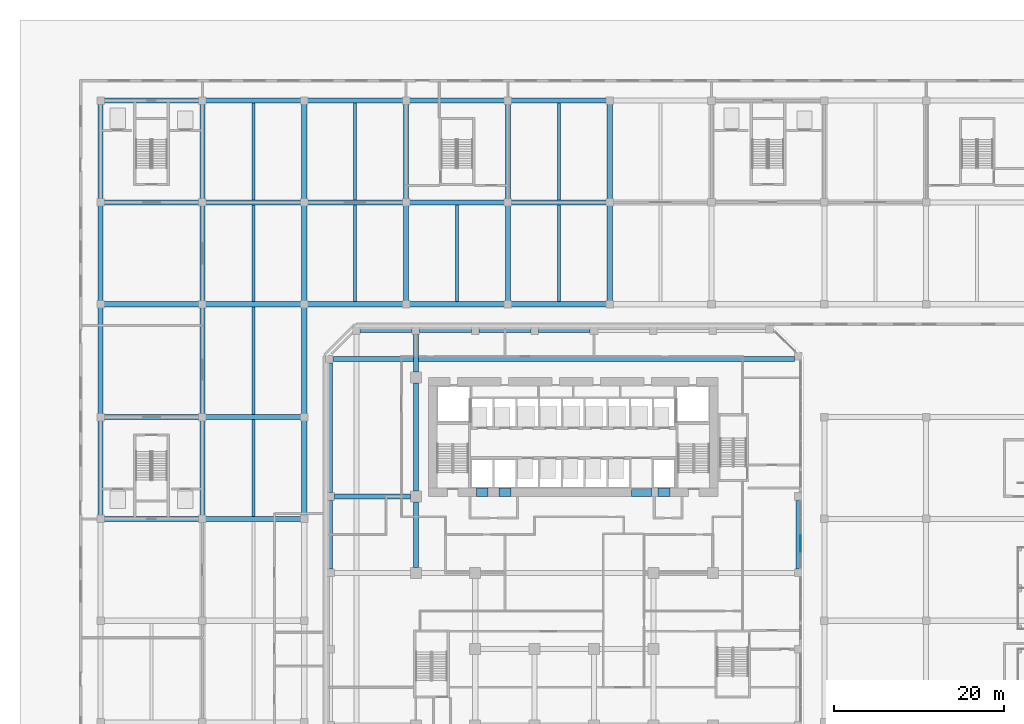
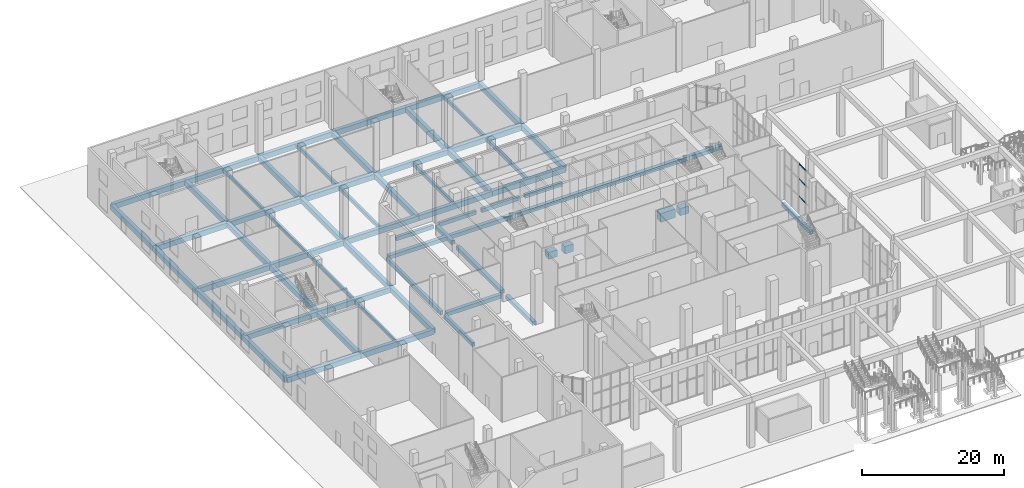
# One storey, part 10 of 43: 62 beams, 3 members, 1 element without a shape of its own.
"""IFC4 building model written with IfcOpenShell, lengths in metres."""

import ifcopenshell
import ifcopenshell.guid

model = None  # the IFC model being written
_history = None  # IfcOwnerHistory: only IFC2X3 demands one
_inside = {}  # id of a spatial element -> (the spatial element, [elements in it])
_under = {}  # id of a project, library or spatial element -> (it, [spatial elements below it])
_declared = {}  # id of a project -> (the project, [libraries it declares])
_typed = {}  # id of a type object -> (the type object, [elements of that type])
_made_of = {}  # id of a material, layer set ... -> (it, [elements and type objects made of it])


def new_model(schema):
    """Start an empty IFC model of exactly this schema.

    Asked for "IFC4X3", IfcOpenShell would pick the latest addendum, in which some entities
    have other attributes; the version numbers below select the first issue.
    IFC2X3 requires an IfcOwnerHistory on every rooted entity: one is made here for all.
    """
    global model, _history
    if schema == "IFC4X3":
        model = ifcopenshell.file(schema_version=(4, 3, 0, 0))
    else:
        model = ifcopenshell.file(schema=schema)
    _inside.clear()
    _under.clear()
    _declared.clear()
    _typed.clear()
    _made_of.clear()
    _history = None
    if model.schema == "IFC2X3":
        org = make("IfcOrganization", Name="unknown")
        user = make(
            "IfcPersonAndOrganization",
            ThePerson=make("IfcPerson", FamilyName="unknown"),
            TheOrganization=org,
        )
        app = make(
            "IfcApplication",
            ApplicationDeveloper=org,
            Version="unknown",
            ApplicationFullName="unknown",
            ApplicationIdentifier="unknown",
        )
        _history = make(
            "IfcOwnerHistory",
            OwningUser=user,
            OwningApplication=app,
            ChangeAction="ADDED",
            CreationDate=0,
        )
    return model


def make(cls, **values):
    """One entity of the class cls with the attributes given. An attribute that is None is left unset."""
    return model.create_entity(
        cls, **{name: value for name, value in values.items() if value is not None}
    )


def rooted(cls, **values):
    """An entity with a GlobalId (a new one), such as an element, a storey or a relation."""
    return make(cls, GlobalId=ifcopenshell.guid.new(), OwnerHistory=_history, **values)


def si_unit(unit_type, name, prefix=None):
    """IfcSIUnit, for example si_unit("LENGTHUNIT", "METRE", prefix="MILLI")."""
    return make("IfcSIUnit", UnitType=unit_type, Prefix=prefix, Name=name)


def assignment(units):
    """IfcUnitAssignment: the units of a project."""
    return None if units is None else make("IfcUnitAssignment", Units=units)


def point(xyz):
    """IfcCartesianPoint."""
    return None if xyz is None else make("IfcCartesianPoint", Coordinates=xyz)


def direction(xyz):
    """IfcDirection."""
    return None if xyz is None else make("IfcDirection", DirectionRatios=xyz)


def frame(location, z_axis=None, x_axis=None):
    """IfcAxis2Placement3D, a coordinate frame: its origin and axes. An axis left out is left unset."""
    return make(
        "IfcAxis2Placement3D",
        Location=point(location),
        Axis=direction(z_axis),
        RefDirection=direction(x_axis),
    )


def frame_2d(location, x_axis=None):
    """IfcAxis2Placement2D, a coordinate frame in the plane: its origin and x axis."""
    return make(
        "IfcAxis2Placement2D", Location=point(location), RefDirection=direction(x_axis)
    )


def origin():
    """The frame at (0, 0, 0) with its axes left unset."""
    return frame((0.0, 0.0, 0.0))


def origin_2d():
    """The frame at (0, 0) in the plane with its x axis left unset."""
    return frame_2d((0.0, 0.0))


def place(relative_to, where):
    """IfcLocalPlacement: puts the frame where relative to a parent placement (None: the world)."""
    return make(
        "IfcLocalPlacement", PlacementRelTo=relative_to, RelativePlacement=where
    )


def context(
    kind, dimensions, precision=None, world=None, true_north=None, identifier=None
):
    """IfcGeometricRepresentationContext, for example the 3D "Model" context."""
    return make(
        "IfcGeometricRepresentationContext",
        ContextIdentifier=identifier,
        ContextType=kind,
        CoordinateSpaceDimension=dimensions,
        Precision=precision,
        WorldCoordinateSystem=world,
        TrueNorth=true_north,
    )


def subcontext(parent, identifier, kind, view, scale=None):
    """IfcGeometricRepresentationSubContext, for example "Body" below "Model"."""
    return make(
        "IfcGeometricRepresentationSubContext",
        ContextIdentifier=identifier,
        ContextType=kind,
        ParentContext=parent,
        TargetScale=scale,
        TargetView=view,
    )


def project(units=None, contexts=None):
    """IfcProject with its units and contexts."""
    return rooted(
        "IfcProject",
        Name="project",
        RepresentationContexts=contexts,
        UnitsInContext=assignment(units),
    )


def spatial(cls, under=None, at=None, **own):
    """A site, building, storey or space (cls), placed at a placement, below another one or the project."""
    s = rooted(cls, ObjectPlacement=at, **own)
    if under is not None:
        _under.setdefault(under.id(), (under, []))[1].append(s)
    return s


def profile(cls, at=None, kind="AREA", **sizes):
    """A parametric profile (cls). Its sizes go by their IFC names, for example OverallWidth=200.0."""
    return make(cls, ProfileType=kind, Position=at, **sizes)


def rectangle(**sizes):
    """IfcRectangleProfileDef."""
    return profile("IfcRectangleProfileDef", **sizes)


def extrude(swept, where, along, depth):
    """IfcExtrudedAreaSolid: the profile swept, set in the frame where, extruded along a direction by depth."""
    return make(
        "IfcExtrudedAreaSolid",
        SweptArea=swept,
        Position=where,
        ExtrudedDirection=direction(along),
        Depth=depth,
    )


def shape(context_of_items, identifier, shape_type, items):
    """IfcShapeRepresentation: the items that make up one representation, for example the "Body"."""
    return make(
        "IfcShapeRepresentation",
        ContextOfItems=context_of_items,
        RepresentationIdentifier=identifier,
        RepresentationType=shape_type,
        Items=items,
    )


def source(mapping_origin, context_of_items, identifier, shape_type, items):
    """IfcRepresentationMap: a shape defined once, which mapped items show again and again."""
    return make(
        "IfcRepresentationMap",
        MappingOrigin=mapping_origin,
        MappedRepresentation=shape(context_of_items, identifier, shape_type, items),
    )


def transform(
    local_origin,
    x_axis=None,
    y_axis=None,
    z_axis=None,
    scale=None,
    scale2=None,
    scale3=None,
    uniform=True,
):
    """IfcCartesianTransformationOperator3D, or its non-uniform kind. x_axis, y_axis, z_axis: its Axis1, 2, 3."""
    if uniform:
        return make(
            "IfcCartesianTransformationOperator3D",
            Axis1=direction(x_axis),
            Axis2=direction(y_axis),
            LocalOrigin=point(local_origin),
            Scale=scale,
            Axis3=direction(z_axis),
        )
    return make(
        "IfcCartesianTransformationOperator3DnonUniform",
        Axis1=direction(x_axis),
        Axis2=direction(y_axis),
        LocalOrigin=point(local_origin),
        Scale=scale,
        Axis3=direction(z_axis),
        Scale2=scale2,
        Scale3=scale3,
    )


def mapped(mapping_source, mapping_target):
    """IfcMappedItem: shows the shape of a source again, moved by a transform."""
    return make(
        "IfcMappedItem", MappingSource=mapping_source, MappingTarget=mapping_target
    )


def material(Name=None, Category=None):
    """IfcMaterial."""
    return make("IfcMaterial", Name=Name, Category=Category)


def material_profile(
    of_material, cross_section, Name=None, Category=None, Priority=None
):
    """IfcMaterialProfile: a cross section and its material."""
    return make(
        "IfcMaterialProfile",
        Name=Name,
        Material=of_material,
        Profile=cross_section,
        Priority=Priority,
        Category=Category,
    )


def profile_set(profiles, Name=None, composite=None):
    """IfcMaterialProfileSet."""
    return make(
        "IfcMaterialProfileSet",
        Name=Name,
        MaterialProfiles=profiles,
        CompositeProfile=composite,
    )


def made_of(thing, what):
    """Note that an element or type object is made of a material, layer set ...; save() writes the relation."""
    if what is not None:
        _made_of.setdefault(what.id(), (what, []))[1].append(thing)
    return thing


def type_object(cls, material=None, **own):
    """A type object (cls), such as IfcWallType, which elements share."""
    return made_of(rooted(cls, **own), material)


def element(
    cls,
    number,
    at=None,
    inside=None,
    cuts=None,
    type_object=None,
    material=None,
    context=None,
    identifier="Body",
    shape_type=None,
    held_by="IfcProductDefinitionShape",
    body=None,
    shapes=None,
    **own,
):
    """One element of the class cls, such as IfcWall. Its Tag is "e" and its number.

    at: its placement. inside: the storey or other place that contains it. cuts: it is an
    opening in that element (IfcRelVoidsElement). A single representation is given by context,
    identifier, shape_type and body (its items); several are given by shapes. held_by: the class
    of the entity that holds the representations. save() writes the other relations.
    """
    e = rooted(cls, Tag="e%d" % number, ObjectPlacement=at, **own)
    if body is not None:
        shapes = [shape(context, identifier, shape_type, body)]
    if shapes is not None:
        e.Representation = make(held_by, Representations=shapes)
    if inside is not None:
        _inside.setdefault(inside.id(), (inside, []))[1].append(e)
    if cuts is not None:
        rooted(
            "IfcRelVoidsElement", RelatingBuildingElement=cuts, RelatedOpeningElement=e
        )
    if type_object is not None:
        _typed.setdefault(type_object.id(), (type_object, []))[1].append(e)
    return made_of(e, material)


def aggregate(whole, parts):
    """IfcRelAggregates: a whole, such as a stair, and the parts it consists of."""
    return rooted("IfcRelAggregates", RelatingObject=whole, RelatedObjects=parts)


def save(model, path):
    """Write the relations noted so far, then the file.

    IfcRelAggregates (storeys below a building ...), IfcRelContainedInSpatialStructure (elements
    in a storey), IfcRelDefinesByType, IfcRelAssociatesMaterial and IfcRelDeclares: one each for
    every whole, place, type object, material and project.
    """
    for whole, parts in _under.values():
        aggregate(whole, parts)
    for where, things in _inside.values():
        rooted(
            "IfcRelContainedInSpatialStructure",
            RelatedElements=things,
            RelatingStructure=where,
        )
    for kind, things in _typed.values():
        rooted("IfcRelDefinesByType", RelatedObjects=things, RelatingType=kind)
    for what, things in _made_of.values():
        rooted("IfcRelAssociatesMaterial", RelatedObjects=things, RelatingMaterial=what)
    for by, libraries in _declared.values():
        rooted("IfcRelDeclares", RelatingContext=by, RelatedDefinitions=libraries)
    model.write(path)


model = new_model("IFC4")

# Units and contexts
model_context = context("Model", 3, precision=1e-05, world=origin(), true_north=direction((0.0, 1.0)))
body_context = subcontext(model_context, "Body", "Model", "MODEL_VIEW")
ifc_project = project(units=[si_unit("LENGTHUNIT", "METRE"), si_unit("AREAUNIT", "SQUARE_METRE"), si_unit("VOLUMEUNIT", "CUBIC_METRE"), si_unit("PLANEANGLEUNIT", "RADIAN"), si_unit("MASSUNIT", "GRAM", prefix="KILO")], contexts=[model_context])

# Site, building, storey
site_placement = place(None, origin())
site = spatial("IfcSite", under=ifc_project, at=site_placement, CompositionType="ELEMENT")
building_placement = place(site_placement, origin())
building = spatial("IfcBuilding", under=site, at=building_placement, Name="Kilnfold Tower and Market Hall", CompositionType="ELEMENT")
storey_placement = place(building_placement, origin())
storey = spatial("IfcBuildingStorey", under=building, at=storey_placement, Name="L00", CompositionType="ELEMENT", Elevation=0.0)

# Beams
ifc_material_1 = material(Name="Concrete C40/50", Category="concrete")
ifc_material_profile_1 = material_profile(ifc_material_1, rectangle(XDim=0.60009765625, YDim=0.89990234375, at=origin_2d()), Name="RC 600x900")
ifc_profile_set_1 = profile_set([ifc_material_profile_1], Name="Concrete C40/50")
beam_type_1 = type_object("IfcBeamType", Name="HALL GIRDER 600X900", PredefinedType="BEAM", material=ifc_profile_set_1)
for number, where, z_axis, x_axis, name in (
    (1, (-54.64990234375, 5.35009765625, -0.860107421875), (0.0, 1.0, 0.0), (-1.0, 0.0, 0.0), "Beam MG1.9"),
    (2, (-54.64990234375, 5.35009765625, -0.860107421875), (1.0, 0.0, 0.0), (0.0, 1.0, 0.0), "Beam MG1.10"),
):
    element("IfcBeam", number, at=place(storey_placement, frame(where, z_axis=z_axis, x_axis=x_axis)), inside=storey, type_object=beam_type_1, Name=name, PredefinedType="BEAM", context=body_context, shape_type="SweptSolid", body=[
        extrude(rectangle(XDim=0.60009765625, YDim=0.89990234375, at=origin_2d()), origin(), (0.0, 0.0, 1.0), 12.0),
    ])
beam_1_placement = place(storey_placement, frame((-54.64990234375, 17.35009765625, -0.860107421875), z_axis=(0.0, 1.0, 0.0), x_axis=(-1.0, 0.0, 0.0)))
element("IfcBeam", 3, at=beam_1_placement, inside=storey, type_object=beam_type_1, Name="Beam MG1.11", PredefinedType="BEAM", context=body_context, shape_type="SweptSolid", body=[
    extrude(rectangle(XDim=0.60009765625, YDim=0.89990234375, at=origin_2d()), origin(), (0.0, 0.0, 1.0), 13.2998046875),
])
for number, where, z_axis, x_axis, name in (
    (4, (-54.64990234375, 17.35009765625, -0.860107421875), (1.0, 0.0, 0.0), (0.0, 1.0, 0.0), "Beam MG1.12"),
    (5, (-54.64990234375, 30.64990234375, -0.860107421875), (0.0, 1.0, 0.0), (-1.0, 0.0, 0.0), "Beam MG1.13"),
    (6, (-54.64990234375, 30.64990234375, -0.860107421875), (1.0, 0.0, 0.0), (0.0, 1.0, 0.0), "Beam MG1.14"),
    (7, (-54.64990234375, 42.64990234375, -0.860107421875), (0.0, 1.0, 0.0), (-1.0, 0.0, 0.0), "Beam MG1.15"),
    (8, (-54.64990234375, 42.64990234375, -0.860107421875), (1.0, 0.0, 0.0), (0.0, 1.0, 0.0), "Beam MG1.16"),
    (9, (-54.64990234375, 54.64990234375, -0.860107421875), (1.0, 0.0, 0.0), (0.0, 1.0, 0.0), "Beam MG1.17"),
    (10, (-42.64990234375, 5.35009765625, -0.860107421875), (0.0, 1.0, 0.0), (-1.0, 0.0, 0.0), "Beam MG1.26"),
    (11, (-42.64990234375, 5.35009765625, -0.860107421875), (1.0, 0.0, 0.0), (0.0, 1.0, 0.0), "Beam MG1.27"),
):
    element("IfcBeam", number, at=place(storey_placement, frame(where, z_axis=z_axis, x_axis=x_axis)), inside=storey, type_object=beam_type_1, Name=name, PredefinedType="BEAM", context=body_context, shape_type="SweptSolid", body=[
        extrude(rectangle(XDim=0.60009765625, YDim=0.89990234375, at=origin_2d()), origin(), (0.0, 0.0, 1.0), 12.0),
    ])
beam_2_placement = place(storey_placement, frame((-42.64990234375, 17.35009765625, -0.860107421875), z_axis=(0.0, 1.0, 0.0), x_axis=(-1.0, 0.0, 0.0)))
element("IfcBeam", 12, at=beam_2_placement, inside=storey, type_object=beam_type_1, Name="Beam MG1.28", PredefinedType="BEAM", context=body_context, shape_type="SweptSolid", body=[
    extrude(rectangle(XDim=0.60009765625, YDim=0.89990234375, at=origin_2d()), origin(), (0.0, 0.0, 1.0), 13.2998046875),
])
for number, where, z_axis, x_axis, name in (
    (13, (-42.64990234375, 17.35009765625, -0.860107421875), (1.0, 0.0, 0.0), (0.0, 1.0, 0.0), "Beam MG1.29"),
    (14, (-42.64990234375, 30.64990234375, -0.860107421875), (0.0, 1.0, 0.0), (-1.0, 0.0, 0.0), "Beam MG1.30"),
    (15, (-42.64990234375, 30.64990234375, -0.860107421875), (1.0, 0.0, 0.0), (0.0, 1.0, 0.0), "Beam MG1.31"),
    (16, (-42.64990234375, 42.64990234375, -0.860107421875), (0.0, 1.0, 0.0), (-1.0, 0.0, 0.0), "Beam MG1.32"),
    (17, (-42.64990234375, 42.64990234375, -0.860107421875), (1.0, 0.0, 0.0), (0.0, 1.0, 0.0), "Beam MG1.33"),
    (18, (-42.64990234375, 54.64990234375, -0.860107421875), (1.0, 0.0, 0.0), (0.0, 1.0, 0.0), "Beam MG1.34"),
    (19, (-30.64990234375, 5.35009765625, -0.860107421875), (0.0, 1.0, 0.0), (-1.0, 0.0, 0.0), "Beam MG1.39"),
):
    element("IfcBeam", number, at=place(storey_placement, frame(where, z_axis=z_axis, x_axis=x_axis)), inside=storey, type_object=beam_type_1, Name=name, PredefinedType="BEAM", context=body_context, shape_type="SweptSolid", body=[
        extrude(rectangle(XDim=0.60009765625, YDim=0.89990234375, at=origin_2d()), origin(), (0.0, 0.0, 1.0), 12.0),
    ])
beam_3_placement = place(storey_placement, frame((-30.64990234375, 17.35009765625, -0.860107421875), z_axis=(0.0, 1.0, 0.0), x_axis=(-1.0, 0.0, 0.0)))
element("IfcBeam", 20, at=beam_3_placement, inside=storey, type_object=beam_type_1, Name="Beam MG1.40", PredefinedType="BEAM", context=body_context, shape_type="SweptSolid", body=[
    extrude(rectangle(XDim=0.60009765625, YDim=0.89990234375, at=origin_2d()), origin(), (0.0, 0.0, 1.0), 13.2998046875),
])
for number, where, z_axis, x_axis, name in (
    (21, (-30.64990234375, 30.64990234375, -0.860107421875), (0.0, 1.0, 0.0), (-1.0, 0.0, 0.0), "Beam MG1.41"),
    (22, (-30.64990234375, 30.64990234375, -0.860107421875), (1.0, 0.0, 0.0), (0.0, 1.0, 0.0), "Beam MG1.42"),
    (23, (-30.64990234375, 42.64990234375, -0.860107421875), (0.0, 1.0, 0.0), (-1.0, 0.0, 0.0), "Beam MG1.43"),
    (24, (-30.64990234375, 42.64990234375, -0.860107421875), (1.0, 0.0, 0.0), (0.0, 1.0, 0.0), "Beam MG1.44"),
    (25, (-30.64990234375, 54.64990234375, -0.860107421875), (1.0, 0.0, 0.0), (0.0, 1.0, 0.0), "Beam MG1.45"),
    (26, (-18.64990234375, 30.64990234375, -0.860107421875), (0.0, 1.0, 0.0), (-1.0, 0.0, 0.0), "Beam MG1.46"),
    (27, (-18.64990234375, 30.64990234375, -0.860107421875), (1.0, 0.0, 0.0), (0.0, 1.0, 0.0), "Beam MG1.47"),
    (28, (-18.64990234375, 42.64990234375, -0.860107421875), (0.0, 1.0, 0.0), (-1.0, 0.0, 0.0), "Beam MG1.48"),
    (29, (-18.64990234375, 42.64990234375, -0.860107421875), (1.0, 0.0, 0.0), (0.0, 1.0, 0.0), "Beam MG1.49"),
    (30, (-18.64990234375, 54.64990234375, -0.860107421875), (1.0, 0.0, 0.0), (0.0, 1.0, 0.0), "Beam MG1.50"),
    (31, (-6.64990234375, 30.64990234375, -0.860107421875), (0.0, 1.0, 0.0), (-1.0, 0.0, 0.0), "Beam MG1.51"),
    (32, (-6.64990234375, 30.64990234375, -0.860107421875), (1.0, 0.0, 0.0), (0.0, 1.0, 0.0), "Beam MG1.52"),
    (33, (-6.64990234375, 42.64990234375, -0.860107421875), (0.0, 1.0, 0.0), (-1.0, 0.0, 0.0), "Beam MG1.53"),
    (34, (-6.64990234375, 42.64990234375, -0.860107421875), (1.0, 0.0, 0.0), (0.0, 1.0, 0.0), "Beam MG1.54"),
    (35, (-6.64990234375, 54.64990234375, -0.860107421875), (1.0, 0.0, 0.0), (0.0, 1.0, 0.0), "Beam MG1.55"),
    (36, (5.35009765625, 30.64990234375, -0.860107421875), (0.0, 1.0, 0.0), (-1.0, 0.0, 0.0), "Beam MG1.56"),
    (37, (5.35009765625, 42.64990234375, -0.860107421875), (0.0, 1.0, 0.0), (-1.0, 0.0, 0.0), "Beam MG1.58"),
):
    element("IfcBeam", number, at=place(storey_placement, frame(where, z_axis=z_axis, x_axis=x_axis)), inside=storey, type_object=beam_type_1, Name=name, PredefinedType="BEAM", context=body_context, shape_type="SweptSolid", body=[
        extrude(rectangle(XDim=0.60009765625, YDim=0.89990234375, at=origin_2d()), origin(), (0.0, 0.0, 1.0), 12.0),
    ])
ifc_material_2 = material(Name="Concrete C40/50", Category="concrete")
ifc_material_profile_2 = material_profile(ifc_material_2, rectangle(XDim=0.35009765625, YDim=0.60009765625, at=origin_2d()), Name="RC 350x600")
ifc_profile_set_2 = profile_set([ifc_material_profile_2], Name="Concrete C40/50")
beam_type_2 = type_object("IfcBeamType", Name="HALL JOIST 350X600", PredefinedType="BEAM", material=ifc_profile_set_2)
beam_4_placement = place(storey_placement, frame((-36.64990234375, 5.64990234375, -0.7099609375), z_axis=(0.0, 1.0, 0.0), x_axis=(-1.0, 0.0, 0.0)))
element("IfcBeam", 38, at=beam_4_placement, inside=storey, type_object=beam_type_2, Name="Beam MJ1.7", PredefinedType="BEAM", context=body_context, shape_type="SweptSolid", body=[
    extrude(rectangle(XDim=0.35009765625, YDim=0.60009765625, at=origin_2d()), origin(), (0.0, 0.0, 1.0), 11.400146484375),
])
beam_5_placement = place(storey_placement, frame((-36.64990234375, 17.64990234375, -0.7099609375), z_axis=(0.0, 1.0, 0.0), x_axis=(-1.0, 0.0, 0.0)))
element("IfcBeam", 39, at=beam_5_placement, inside=storey, type_object=beam_type_2, Name="Beam MJ1.8", PredefinedType="BEAM", context=body_context, shape_type="SweptSolid", body=[
    extrude(rectangle(XDim=0.35009765625, YDim=0.60009765625, at=origin_2d()), origin(), (0.0, 0.0, 1.0), 12.7001953125),
])
for number, where, z_axis, x_axis, name in (
    (40, (-36.64990234375, 30.949951171875, -0.7099609375), (0.0, 1.0, 0.0), (-1.0, 0.0, 0.0), "Beam MJ1.9"),
    (41, (-36.64990234375, 42.949951171875, -0.7099609375), (0.0, 1.0, 0.0), (-1.0, 0.0, 0.0), "Beam MJ1.10"),
    (42, (-24.64990234375, 30.949951171875, -0.7099609375), (0.0, 1.0, 0.0), (-1.0, 0.0, 0.0), "Beam MJ1.11"),
    (43, (-24.64990234375, 42.949951171875, -0.7099609375), (0.0, 1.0, 0.0), (-1.0, 0.0, 0.0), "Beam MJ1.12"),
    (44, (-12.64990234375, 30.949951171875, -0.7099609375), (0.0, 1.0, 0.0), (-1.0, 0.0, 0.0), "Beam MJ1.13"),
    (45, (-0.64990234375, 30.949951171875, -0.7099609375), (0.0, 1.0, 0.0), (-1.0, 0.0, 0.0), "Beam MJ1.14"),
    (46, (-0.64990234375, 42.949951171875, -0.7099609375), (0.0, 1.0, 0.0), (-1.0, 0.0, 0.0), "Beam MJ1.15"),
):
    element("IfcBeam", number, at=place(storey_placement, frame(where, z_axis=z_axis, x_axis=x_axis)), inside=storey, type_object=beam_type_2, Name=name, PredefinedType="BEAM", context=body_context, shape_type="SweptSolid", body=[
        extrude(rectangle(XDim=0.35009765625, YDim=0.60009765625, at=origin_2d()), origin(), (0.0, 0.0, 1.0), 11.400146484375),
    ])
ifc_material_3 = material(Name="Concrete C80", Category="concrete")
ifc_material_profile_3 = material_profile(ifc_material_3, rectangle(XDim=1.0, YDim=1.199951171875, at=origin_2d()), Name="RC 1000x1200")
ifc_profile_set_3 = profile_set([ifc_material_profile_3], Name="Concrete C80")
beam_type_3 = type_object("IfcBeamType", Name="COUPLING BEAM 1000X1200 C80", PredefinedType="BEAM", material=ifc_profile_set_3)
shared_shape_1 = source(origin(), body_context, "Body", "SweptSolid", [
    extrude(rectangle(XDim=1.0, YDim=1.199951171875, at=origin_2d()), origin(), (0.0, 0.0, 1.0), 1.400146484375),
])
beam_6_placement = place(storey_placement, frame((-10.3701171875, 8.5, 3.300048828125), z_axis=(1.0, 0.0, 0.0), x_axis=(0.0, 1.0, 0.0)))
element("IfcBeam", 47, at=beam_6_placement, inside=storey, type_object=beam_type_3, Name="Coupling beam CB1200-80-CORE.48", PredefinedType="BEAM", context=body_context, shape_type="MappedRepresentation", body=[
    mapped(shared_shape_1, transform((0.0, 0.0, 0.0))),
])
ifc_material_4 = material(Name="Concrete C80", Category="concrete")
ifc_material_profile_4 = material_profile(ifc_material_4, rectangle(XDim=1.0, YDim=1.25, at=origin_2d()), Name="RC 1000x1250")
ifc_profile_set_4 = profile_set([ifc_material_profile_4], Name="Concrete C80")
beam_type_4 = type_object("IfcBeamType", Name="COUPLING BEAM 1000X1250 C80", PredefinedType="BEAM", material=ifc_profile_set_4)
shared_shape_2 = source(origin(), body_context, "Body", "SweptSolid", [
    extrude(rectangle(XDim=1.0, YDim=1.25, at=origin_2d()), origin(), (0.0, 0.0, 1.0), 1.39990234375),
])
for number, where, z_axis, x_axis, name in (
    (48, (-7.68994140625, 8.5, 3.324951171875), (1.0, 0.0, 0.0), (0.0, 1.0, 0.0), "Coupling beam CB1250-80-CORE.50"),
    (49, (11.070068359375, 8.5, 3.324951171875), (1.0, 0.0, 0.0), (0.0, 1.0, 0.0), "Coupling beam CB1250-80-CORE.54"),
):
    element("IfcBeam", number, at=place(storey_placement, frame(where, z_axis=z_axis, x_axis=x_axis)), inside=storey, type_object=beam_type_4, Name=name, PredefinedType="BEAM", context=body_context, shape_type="MappedRepresentation", body=[
        mapped(shared_shape_2, transform((0.0, 0.0, 0.0))),
    ])
ifc_material_5 = material(Name="Concrete C80", Category="concrete")
ifc_material_profile_5 = material_profile(ifc_material_5, rectangle(XDim=1.0, YDim=1.5, at=origin_2d()), Name="RC 1000x1500")
ifc_profile_set_5 = profile_set([ifc_material_profile_5], Name="Concrete C80")
beam_type_5 = type_object("IfcBeamType", Name="COUPLING BEAM 1000X1500 C80", PredefinedType="BEAM", material=ifc_profile_set_5)
shared_shape_3 = source(origin(), body_context, "Body", "SweptSolid", [
    extrude(rectangle(XDim=1.0, YDim=1.5, at=origin_2d()), origin(), (0.0, 0.0, 1.0), 2.400146484375),
])
beam_7_placement = place(storey_placement, frame((7.889892578125, 8.5, 3.449951171875), z_axis=(1.0, 0.0, 0.0), x_axis=(0.0, 1.0, 0.0)))
element("IfcBeam", 50, at=beam_7_placement, inside=storey, type_object=beam_type_5, Name="Coupling beam CB1500-80-CORE.52", PredefinedType="BEAM", context=body_context, shape_type="MappedRepresentation", body=[
    mapped(shared_shape_3, transform((0.0, 0.0, 0.0))),
])
ifc_material_6 = material(Name="Concrete C45", Category="concrete")
ifc_material_profile_6 = material_profile(ifc_material_6, rectangle(XDim=0.449951171875, YDim=0.64990234375, at=origin_2d()), Name="RC 450x650")
ifc_profile_set_6 = profile_set([ifc_material_profile_6], Name="Concrete C45")
beam_type_6 = type_object("IfcBeamType", Name="EDGE BEAM 450X650 C45", PredefinedType="BEAM", material=ifc_profile_set_6)
shared_shape_4 = source(origin(), body_context, "Body", "SweptSolid", [
    extrude(rectangle(XDim=0.449951171875, YDim=0.64990234375, at=origin_2d()), origin(), (0.0, 0.0, 1.0), 6.10009765625),
])
for number, where, z_axis, x_axis, name in (
    (51, (-24.050048828125, 27.550048828125, -0.735107421875), (1.0, 0.0, 0.0), (0.0, 1.0, 0.0), "Beam EB650-B1.23"),
    (52, (-17.050048828125, 27.550048828125, -0.735107421875), (1.0, 0.0, 0.0), (0.0, 1.0, 0.0), "Beam EB650-B1.24"),
    (53, (-10.050048828125, 27.550048828125, -0.735107421875), (1.0, 0.0, 0.0), (0.0, 1.0, 0.0), "Beam EB650-B1.25"),
    (54, (-3.050048828125, 27.550048828125, -0.735107421875), (1.0, 0.0, 0.0), (0.0, 1.0, 0.0), "Beam EB650-B1.26"),
):
    element("IfcBeam", number, at=place(storey_placement, frame(where, z_axis=z_axis, x_axis=x_axis)), inside=storey, type_object=beam_type_6, Name=name, PredefinedType="BEAM", context=body_context, shape_type="MappedRepresentation", body=[
        mapped(shared_shape_4, transform((0.0, 0.0, 0.0))),
    ])
ifc_material_7 = material(Name="Concrete C45", Category="concrete")
ifc_material_profile_7 = material_profile(ifc_material_7, rectangle(XDim=0.60009765625, YDim=0.64990234375, at=origin_2d()), Name="RC 600x650")
ifc_profile_set_7 = profile_set([ifc_material_profile_7], Name="Concrete C45")
beam_type_7 = type_object("IfcBeamType", Name="BEAM 600X650 C45", PredefinedType="BEAM", material=ifc_profile_set_7)
shared_shape_5 = source(origin(), body_context, "Body", "SweptSolid", [
    extrude(rectangle(XDim=0.60009765625, YDim=0.64990234375, at=origin_2d()), origin(), (0.0, 0.0, 1.0), 8.9501953125),
])
beam_8_placement = place(storey_placement, frame((-27.10009765625, 8.0, -0.735107421875), z_axis=(1.0, 0.0, 0.0), x_axis=(0.0, 1.0, 0.0)))
element("IfcBeam", 55, at=beam_8_placement, inside=storey, type_object=beam_type_7, Name="Beam BB650-B1.21", PredefinedType="BEAM", context=body_context, shape_type="MappedRepresentation", body=[
    mapped(shared_shape_5, transform((0.0, 0.0, 0.0))),
])
shared_shape_6 = source(origin(), body_context, "Body", "SweptSolid", [
    extrude(rectangle(XDim=0.60009765625, YDim=0.64990234375, at=origin_2d()), origin(), (0.0, 0.0, 1.0), 54.331787109375),
])
beam_9_placement = place(storey_placement, frame((-27.231689453125, 24.179931640625, -0.735107421875), z_axis=(1.0, 0.0, 0.0), x_axis=(0.0, 1.0, 0.0)))
element("IfcBeam", 56, at=beam_9_placement, inside=storey, type_object=beam_type_7, Name="Beam BB650-B1.22", PredefinedType="BEAM", context=body_context, shape_type="MappedRepresentation", body=[
    mapped(shared_shape_6, transform((0.0, 0.0, 0.0))),
])
shared_shape_7 = source(origin(), body_context, "Body", "SweptSolid", [
    extrude(rectangle(XDim=0.449951171875, YDim=0.64990234375, at=origin_2d()), origin(), (0.0, 0.0, 1.0), 8.10009765625),
])
for number, where, z_axis, x_axis, name in (
    (57, (-27.550048828125, -0.550048828125, -0.735107421875), (0.0, 1.0, 0.0), (-1.0, 0.0, 0.0), "Beam EB650-B1.33"),
    (58, (27.550048828125, -0.550048828125, -0.735107421875), (0.0, 1.0, 0.0), (-1.0, 0.0, 0.0), "Beam EB650-B1.53"),
):
    element("IfcBeam", number, at=place(storey_placement, frame(where, z_axis=z_axis, x_axis=x_axis)), inside=storey, type_object=beam_type_6, Name=name, PredefinedType="BEAM", context=body_context, shape_type="MappedRepresentation", body=[
        mapped(shared_shape_7, transform((0.0, 0.0, 0.0))),
    ])
shared_shape_8 = source(origin(), body_context, "Body", "SweptSolid", [
    extrude(rectangle(XDim=0.449951171875, YDim=0.64990234375, at=origin_2d()), origin(), (0.0, 0.0, 1.0), 15.28173828125),
])
beam_10_placement = place(storey_placement, frame((-27.550048828125, 8.449951171875, -0.735107421875), z_axis=(0.0, 1.0, 0.0), x_axis=(-1.0, 0.0, 0.0)))
element("IfcBeam", 59, at=beam_10_placement, inside=storey, type_object=beam_type_6, Name="Beam EB650-B1.34", PredefinedType="BEAM", context=body_context, shape_type="MappedRepresentation", body=[
    mapped(shared_shape_8, transform((0.0, 0.0, 0.0))),
])
shared_shape_9 = source(origin(), body_context, "Body", "SweptSolid", [
    extrude(rectangle(XDim=0.60009765625, YDim=0.64990234375, at=origin_2d()), origin(), (0.0, 0.0, 1.0), 7.7001953125),
])
beam_11_placement = place(storey_placement, frame((-17.5, -0.35009765625, -0.735107421875), z_axis=(0.0, 1.0, 0.0), x_axis=(-1.0, 0.0, 0.0)))
element("IfcBeam", 60, at=beam_11_placement, inside=storey, type_object=beam_type_7, Name="Beam BB650-B1.37", PredefinedType="BEAM", context=body_context, shape_type="MappedRepresentation", body=[
    mapped(shared_shape_9, transform((0.0, 0.0, 0.0))),
])
shared_shape_10 = source(origin(), body_context, "Body", "SweptSolid", [
    extrude(rectangle(XDim=0.60009765625, YDim=0.64990234375, at=origin_2d()), origin(), (0.0, 0.0, 1.0), 12.7001953125),
])
beam_12_placement = place(storey_placement, frame((-17.5, 8.64990234375, -0.735107421875), z_axis=(0.0, 1.0, 0.0), x_axis=(-1.0, 0.0, 0.0)))
element("IfcBeam", 61, at=beam_12_placement, inside=storey, type_object=beam_type_7, Name="Beam BB650-B1.38", PredefinedType="BEAM", context=body_context, shape_type="MappedRepresentation", body=[
    mapped(shared_shape_10, transform((0.0, 0.0, 0.0))),
])
shared_shape_11 = source(origin(), body_context, "Body", "SweptSolid", [
    extrude(rectangle(XDim=0.60009765625, YDim=0.64990234375, at=origin_2d()), origin(), (0.0, 0.0, 1.0), 4.4501953125),
])
beam_13_placement = place(storey_placement, frame((-17.5, 22.64990234375, -0.735107421875), z_axis=(0.0, 1.0, 0.0), x_axis=(-1.0, 0.0, 0.0)))
element("IfcBeam", 62, at=beam_13_placement, inside=storey, type_object=beam_type_7, Name="Beam BB650-B1.39", PredefinedType="BEAM", context=body_context, shape_type="MappedRepresentation", body=[
    mapped(shared_shape_11, transform((0.0, 0.0, 0.0))),
])

# Curtain wall, members
ifc_material_8 = material(Name="Aluminium and double glazing", Category="aluminium")
curtain_wall_type = type_object("IfcCurtainWallType", Name="CW BASE PODIUM GLAZING", PredefinedType="NOTDEFINED", material=ifc_material_8)
curtain_wall_placement = place(storey_placement, origin())
curtain_wall = element("IfcCurtainWall", 63, at=curtain_wall_placement, inside=storey, type_object=curtain_wall_type, Name="Curtain wall CW4 L00 E", PredefinedType="NOTDEFINED")
ifc_material_9 = material(Name="Aluminium", Category="aluminium")
ifc_material_profile_8 = material_profile(ifc_material_9, rectangle(XDim=0.070068359375, YDim=0.159912109375, at=origin_2d()), Name="TRANSOM 70x160")
ifc_profile_set_8 = profile_set([ifc_material_profile_8], Name="Aluminium")
member_type = type_object("IfcMemberType", Name="TRANSOM 70X160", PredefinedType="USERDEFINED", material=ifc_profile_set_8)
shared_shape_12 = source(origin(), body_context, "Body", "SweptSolid", [
    extrude(rectangle(XDim=0.070068359375, YDim=0.159912109375, at=origin_2d()), origin(), (0.0, 0.0, 1.0), 1.919921875),
])
member_1_placement = place(storey_placement, frame((27.85009765625, 1.510009765625, 3.0), z_axis=(0.0, 1.0, 0.0), x_axis=(-1.0, 0.0, 0.0)))
member_1 = element("IfcMember", 64, at=member_1_placement, type_object=member_type, Name="CW4 transom 2.2", ObjectType="TRANSOM", PredefinedType="USERDEFINED", context=body_context, shape_type="MappedRepresentation", body=[
    mapped(shared_shape_12, transform((0.0, 0.0, 0.0))),
])
member_2_placement = place(storey_placement, frame((27.85009765625, 1.510009765625, 6.0), z_axis=(0.0, 1.0, 0.0), x_axis=(-1.0, 0.0, 0.0)))
member_2 = element("IfcMember", 65, at=member_2_placement, type_object=member_type, Name="CW4 transom 2.3", ObjectType="TRANSOM", PredefinedType="USERDEFINED", context=body_context, shape_type="MappedRepresentation", body=[
    mapped(shared_shape_12, transform((0.0, 0.0, 0.0))),
])
member_3_placement = place(storey_placement, frame((27.85009765625, 1.510009765625, 8.56494140625), z_axis=(0.0, 1.0, 0.0), x_axis=(-1.0, 0.0, 0.0)))
member_3 = element("IfcMember", 66, at=member_3_placement, type_object=member_type, Name="CW4 transom 2.4", ObjectType="TRANSOM", PredefinedType="USERDEFINED", context=body_context, shape_type="MappedRepresentation", body=[
    mapped(shared_shape_12, transform((0.0, 0.0, 0.0))),
])
aggregate(curtain_wall, [member_1, member_2, member_3])

save(model, "model.ifc")
